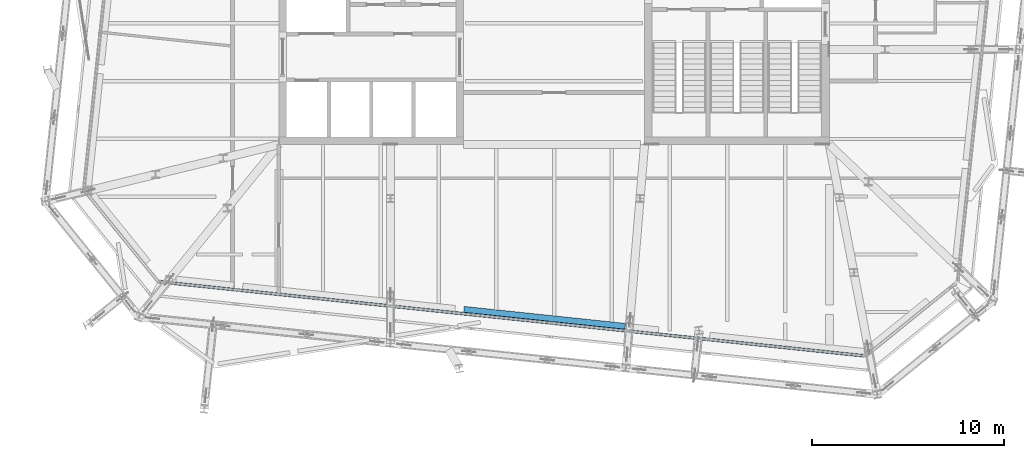
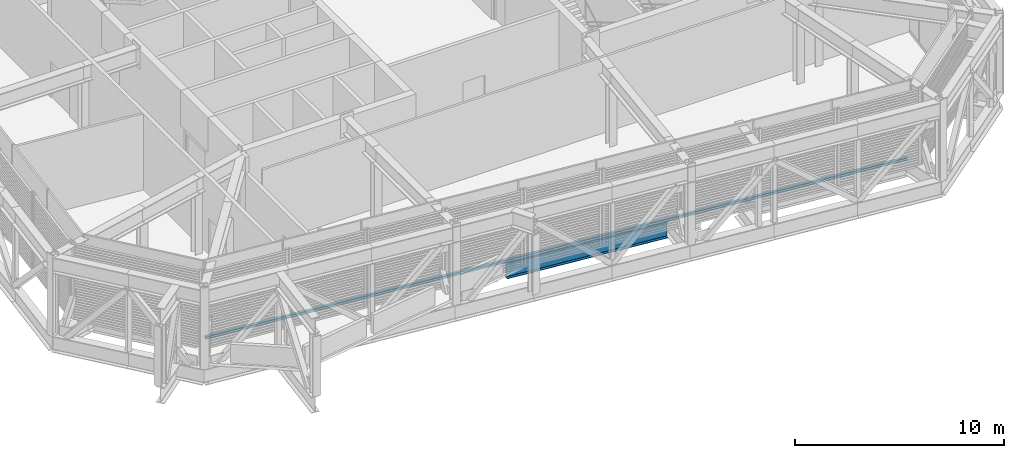
# One storey, part 5 of 36: 1 beam, 1 member, 1 element without a shape of its own.
"""IFC4 building model written with IfcOpenShell, lengths in metres."""

from ifc_helpers import new_model, si_unit, direction, frame, origin, origin_2d, place, context, subcontext, project, spatial, rectangle, i_section, extrude, material, layer, layer_set, material_profile, profile_set, type_object, element, aggregate, save


model = new_model("IFC4")

# Units and contexts
model_context = context("Model", 3, precision=1e-05, world=origin(), true_north=direction((0.0, 1.0)))
body_context = subcontext(model_context, "Body", "Model", "MODEL_VIEW")
ifc_project = project(units=[si_unit("LENGTHUNIT", "METRE"), si_unit("AREAUNIT", "SQUARE_METRE"), si_unit("VOLUMEUNIT", "CUBIC_METRE"), si_unit("PLANEANGLEUNIT", "RADIAN"), si_unit("MASSUNIT", "GRAM", prefix="KILO")], contexts=[model_context])

# Site, building, storey
site_placement = place(None, origin())
site = spatial("IfcSite", under=ifc_project, at=site_placement, CompositionType="ELEMENT")
building_placement = place(site_placement, origin())
building = spatial("IfcBuilding", under=site, at=building_placement, Name="Millrace Tower", CompositionType="ELEMENT")
storey_placement = place(building_placement, frame((0.0, 0.0, 271.39990234375)))
storey = spatial("IfcBuildingStorey", under=building, at=storey_placement, Name="L62", CompositionType="ELEMENT", Elevation=271.39990234375)

# Curtain wall, member
ifc_material_1 = material(Name="Aluminium and glass", Category="aluminium")
ifc_layer = layer(ifc_material_1, 0.14990234375)
ifc_layer_set = layer_set([ifc_layer], Name="Aluminium and glass")
curtain_wall_type = type_object("IfcCurtainWallType", Name="CW-5 truss and plant storey louvred infill", PredefinedType="NOTDEFINED", material=ifc_layer_set)
curtain_wall_placement = place(storey_placement, origin())
curtain_wall = element("IfcCurtainWall", 1, at=curtain_wall_placement, inside=storey, type_object=curtain_wall_type, Name="Curtain wall E-F02 L62", PredefinedType="NOTDEFINED")
ifc_material_2 = material(Name="Aluminium", Category="aluminium")
ifc_material_profile_1 = material_profile(ifc_material_2, rectangle(XDim=0.14990234375, YDim=0.139892578125, at=origin_2d()))
ifc_profile_set_1 = profile_set([ifc_material_profile_1], Name="Aluminium")
member_type = type_object("IfcMemberType", Name="CW-5 truss and plant storey louvred infill transom", PredefinedType="USERDEFINED", material=ifc_profile_set_1)
member_placement = place(storey_placement, frame((-20.435302734375, -16.431884765625, 0.070068359375), z_axis=(0.994521952886, -0.104527916025, 0.0), x_axis=(0.104527916025, 0.994521952886, 0.0)))
member = element("IfcMember", 2, at=member_placement, type_object=member_type, Name="CW5 transom E-F02.1", ObjectType="TRANSOM", PredefinedType="USERDEFINED", context=body_context, shape_type="SweptSolid", body=[
    extrude(rectangle(XDim=0.14990234375, YDim=0.139892578125, at=origin_2d()), origin(), (0.0, 0.0, 1.0), 36.699951171875),
])
aggregate(curtain_wall, [member])

# Beam
ifc_material_3 = material(Name="Steel ASTM A992 Grade 50", Category="steel")
ifc_material_profile_2 = material_profile(ifc_material_3, i_section(OverallWidth=0.307373046875, OverallDepth=0.927001953125, WebThickness=0.01953125, FlangeThickness=0.031982421875, FilletRadius=0.01904296875, at=origin_2d()))
ifc_profile_set_2 = profile_set([ifc_material_profile_2], Name="Steel ASTM A992 Grade 50")
beam_type = type_object("IfcBeamType", Name="Ring beam short span W36x194", PredefinedType="SPANDREL", material=ifc_profile_set_2)
beam_placement = place(storey_placement, frame((3.69775390625, -18.738525390625, -0.62353515625), z_axis=(-0.994519416938, 0.104552041268, 0.0), x_axis=(-0.104552041268, -0.994519416938, 0.0)))
element("IfcBeam", 3, at=beam_placement, inside=storey, type_object=beam_type, Name="RNG-E-L62-S1-14-a", PredefinedType="SPANDREL", context=body_context, shape_type="SweptSolid", body=[
    extrude(i_section(OverallWidth=0.307373046875, OverallDepth=0.927001953125, WebThickness=0.01953125, FlangeThickness=0.031982421875, FilletRadius=0.01904296875, at=origin_2d()), origin(), (0.0, 0.0, 1.0), 8.425048828125),
])

save(model, "model.ifc")
